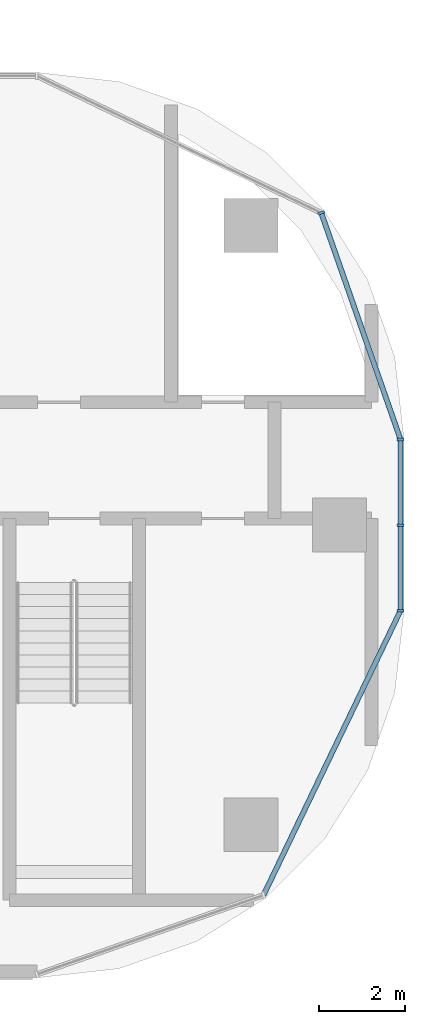
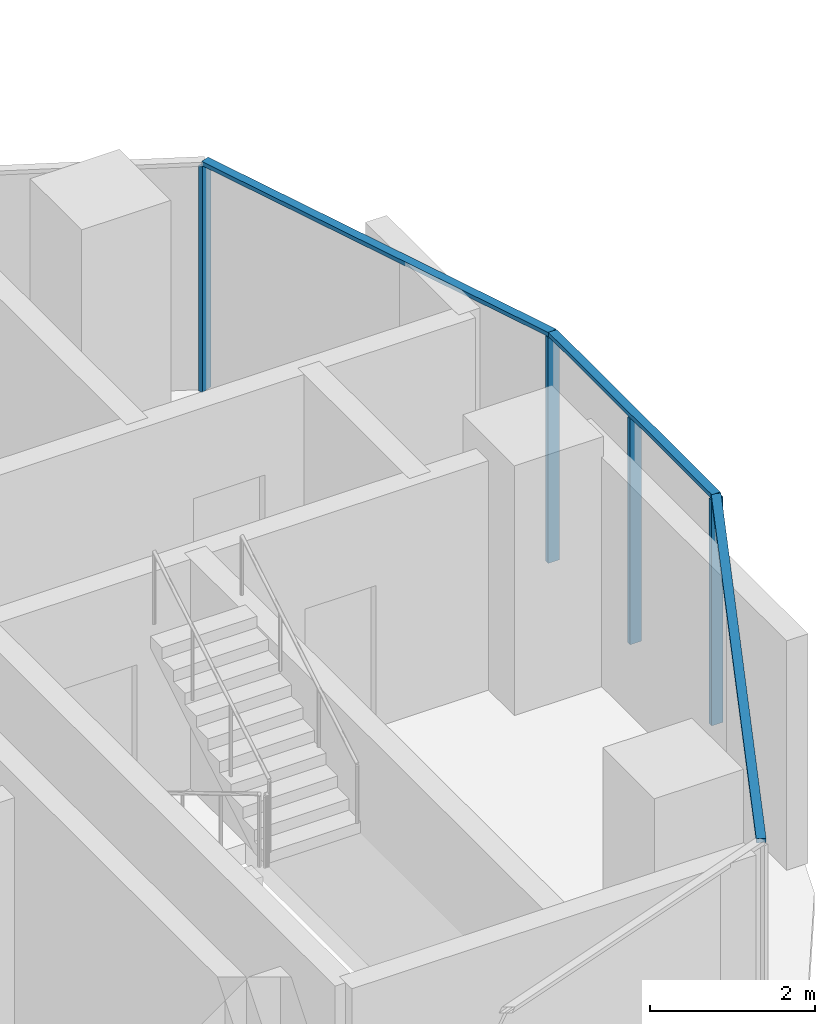
# One storey, part 7 of 22: 7 members, 3 elements without a shape of their own.
"""IFC4 building model written with IfcOpenShell, lengths in metres."""

from ifc_helpers import new_model, si_unit, direction, frame, origin, origin_2d, place, context, subcontext, project, spatial, rectangle, extrude, material, material_profile, profile_set, type_object, element, aggregate, save


model = new_model("IFC4")

# Units and contexts
model_context = context("Model", 3, precision=1e-05, world=origin(), true_north=direction((0.0, 1.0)))
body_context = subcontext(model_context, "Body", "Model", "MODEL_VIEW")
ifc_project = project(units=[si_unit("LENGTHUNIT", "METRE"), si_unit("AREAUNIT", "SQUARE_METRE"), si_unit("VOLUMEUNIT", "CUBIC_METRE"), si_unit("PLANEANGLEUNIT", "RADIAN"), si_unit("MASSUNIT", "GRAM", prefix="KILO")], contexts=[model_context])

# Site, building, storey
site_placement = place(None, origin())
site = spatial("IfcSite", under=ifc_project, at=site_placement, CompositionType="ELEMENT")
building_placement = place(site_placement, origin())
building = spatial("IfcBuilding", under=site, at=building_placement, Name="Ogive Portal Towers", CompositionType="ELEMENT")
storey_placement = place(building_placement, frame((0.0, 0.0, 113.0)))
storey = spatial("IfcBuildingStorey", under=building, at=storey_placement, Name="L27", CompositionType="ELEMENT", Elevation=113.0)

# Curtain wall, members
ifc_material_1 = material(Name="Glass, clear low-iron insulated glazing", Category="glass")
curtain_wall_type = type_object("IfcCurtainWallType", Name="CW FRONT RIBBON 4500", PredefinedType="NOTDEFINED", material=ifc_material_1)
curtain_wall_1_placement = place(storey_placement, origin())
curtain_wall_1 = element("IfcCurtainWall", 1, at=curtain_wall_1_placement, inside=storey, type_object=curtain_wall_type, Name="A:L27:f09:cw0", PredefinedType="NOTDEFINED")
ifc_material_2 = material(Name="Aluminium 6063 anodised", Category="aluminium")
ifc_material_profile_1 = material_profile(ifc_material_2, rectangle(XDim=0.159912109375, YDim=0.06005859375, at=origin_2d()), Name="AL 60x160")
ifc_profile_set_1 = profile_set([ifc_material_profile_1], Name="Aluminium 6063 anodised")
member_type_1 = type_object("IfcMemberType", Name="CW MULLION 60x160", PredefinedType="MULLION", material=ifc_profile_set_1)
member_1_placement = place(storey_placement, frame((95.919921875, 28.518310546875, 0.0), z_axis=(0.0, 0.0, 1.0), x_axis=(-1.0, 0.0, 0.0)))
member_1 = element("IfcMember", 2, at=member_1_placement, type_object=member_type_1, Name="mullion", PredefinedType="MULLION", context=body_context, shape_type="SweptSolid", body=[
    extrude(rectangle(XDim=0.159912109375, YDim=0.06005859375, at=origin_2d()), origin(), (0.0, 0.0, 1.0), 3.340087890625),
])
member_2_placement = place(storey_placement, frame((95.919921875, 30.5, 0.0), z_axis=(0.0, 0.0, 1.0), x_axis=(-1.0, 0.0, 0.0)))
member_2 = element("IfcMember", 3, at=member_2_placement, type_object=member_type_1, Name="mullion", PredefinedType="MULLION", context=body_context, shape_type="SweptSolid", body=[
    extrude(rectangle(XDim=0.159912109375, YDim=0.06005859375, at=origin_2d()), origin(), (0.0, 0.0, 1.0), 3.340087890625),
])
member_3_placement = place(storey_placement, frame((95.919921875, 32.486328125, 0.0), z_axis=(0.0, 0.0, 1.0), x_axis=(-1.0, 0.0, 0.0)))
member_3 = element("IfcMember", 4, at=member_3_placement, type_object=member_type_1, Name="mullion", PredefinedType="MULLION", context=body_context, shape_type="SweptSolid", body=[
    extrude(rectangle(XDim=0.159912109375, YDim=0.06005859375, at=origin_2d()), origin(), (0.0, 0.0, 1.0), 3.340087890625),
])

# Curtain wall, member
curtain_wall_2_placement = place(storey_placement, origin())
curtain_wall_2 = element("IfcCurtainWall", 5, at=curtain_wall_2_placement, inside=storey, type_object=curtain_wall_type, Name="A:L27:f10:cwa", PredefinedType="NOTDEFINED")
member_4_placement = place(storey_placement, frame((94.0810546875, 37.741943359375, 0.0), z_axis=(0.0, 0.0, 1.0), x_axis=(-0.943883330307, -0.33027906196, 0.0)))
member_4 = element("IfcMember", 6, at=member_4_placement, type_object=member_type_1, Name="mullion", PredefinedType="MULLION", context=body_context, shape_type="SweptSolid", body=[
    extrude(rectangle(XDim=0.159912109375, YDim=0.06005859375, at=origin_2d()), origin(), (0.0, 0.0, 1.0), 3.340087890625),
])

# Member
ifc_material_profile_2 = material_profile(ifc_material_2, rectangle(XDim=0.1201171875, YDim=0.06005859375, at=origin_2d()), Name="AL 120x60")
ifc_profile_set_2 = profile_set([ifc_material_profile_2], Name="Aluminium 6063 anodised")
member_type_2 = type_object("IfcMemberType", Name="CW TRANSOM 60x120", PredefinedType="USERDEFINED", material=ifc_profile_set_2)
member_5_placement = place(storey_placement, frame((95.919921875, 28.518310546875, 3.3701171875), z_axis=(0.0, 1.0, 0.0), x_axis=(-1.0, 0.0, 0.0)))
member_5 = element("IfcMember", 7, at=member_5_placement, type_object=member_type_2, Name="transom", ObjectType="TRANSOM", PredefinedType="USERDEFINED", context=body_context, shape_type="SweptSolid", body=[
    extrude(rectangle(XDim=0.1201171875, YDim=0.06005859375, at=origin_2d()), origin(), (0.0, 0.0, 1.0), 3.968017578125),
])

aggregate(curtain_wall_1, [member_5, member_1, member_2, member_3])

# Curtain wall, member
curtain_wall_3_placement = place(storey_placement, origin())
curtain_wall_3 = element("IfcCurtainWall", 8, at=curtain_wall_3_placement, inside=storey, type_object=curtain_wall_type, Name="A:L27:f07:cwa", PredefinedType="NOTDEFINED")
member_6_placement = place(storey_placement, frame((92.741943359375, 21.9189453125, 3.3701171875), z_axis=(0.433871738997, 0.900974646757, 0.0), x_axis=(-0.900974646757, 0.433871738997, 0.0)))
member_6 = element("IfcMember", 9, at=member_6_placement, type_object=member_type_2, Name="transom", ObjectType="TRANSOM", PredefinedType="USERDEFINED", context=body_context, shape_type="SweptSolid", body=[
    extrude(rectangle(XDim=0.1201171875, YDim=0.06005859375, at=origin_2d()), origin(), (0.0, 0.0, 1.0), 7.32470703125),
])
aggregate(curtain_wall_3, [member_6])

# Member
member_7_placement = place(storey_placement, frame((95.919921875, 32.486328125, 3.3701171875), z_axis=(-0.330254721593, 0.943891847017, 0.0), x_axis=(-0.943891847017, -0.330254721593, 0.0)))
member_7 = element("IfcMember", 10, at=member_7_placement, type_object=member_type_2, Name="transom", ObjectType="TRANSOM", PredefinedType="USERDEFINED", context=body_context, shape_type="SweptSolid", body=[
    extrude(rectangle(XDim=0.1201171875, YDim=0.06005859375, at=origin_2d()), origin(), (0.0, 0.0, 1.0), 5.568115234375),
])

aggregate(curtain_wall_2, [member_7, member_4])

save(model, "model.ifc")
